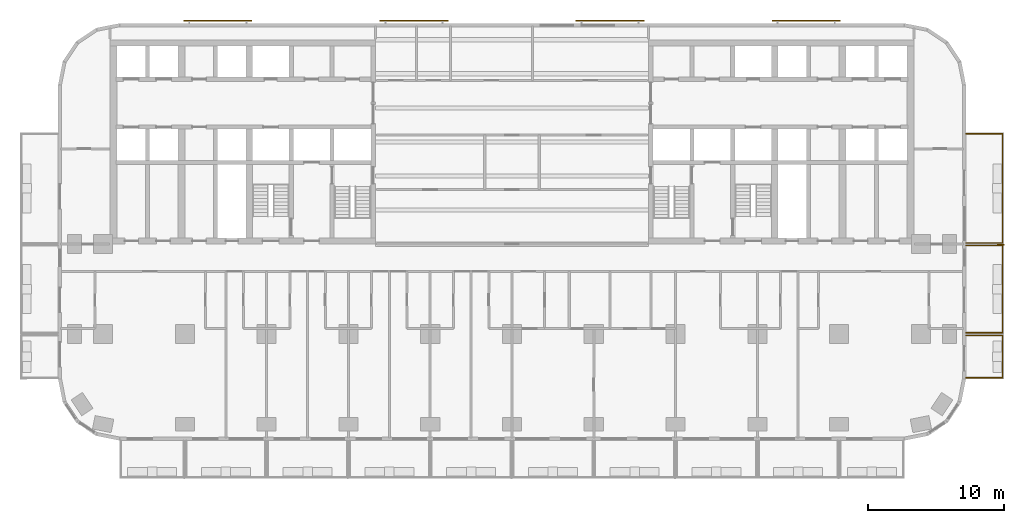
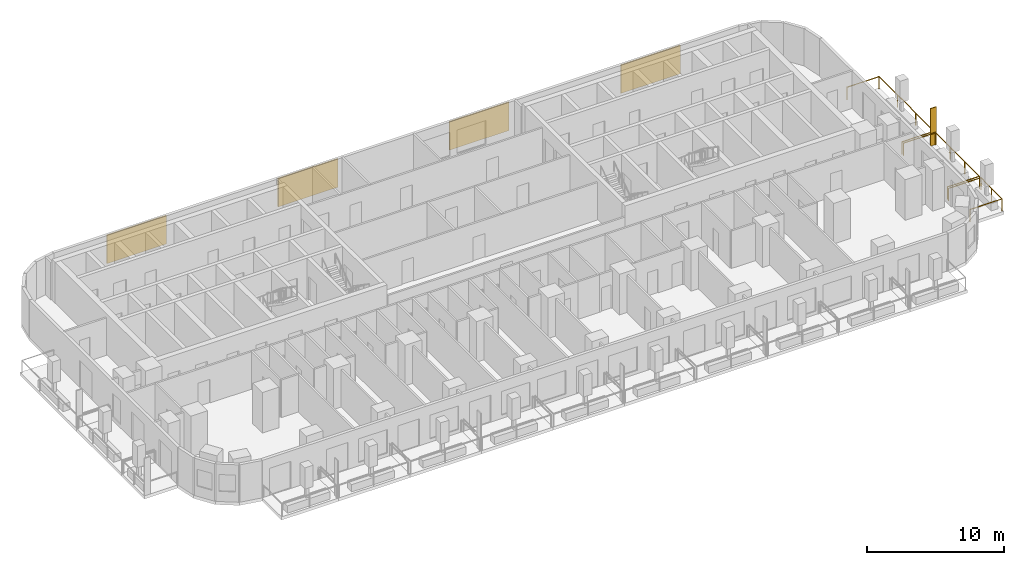
# One storey, part 12 of 13: 5 shading devices, 3 railings.
"""IFC4 building model written with IfcOpenShell, lengths in metres."""

import ifcopenshell
import ifcopenshell.guid

model = None  # the IFC model being written
_history = None  # IfcOwnerHistory: only IFC2X3 demands one
_inside = {}  # id of a spatial element -> (the spatial element, [elements in it])
_under = {}  # id of a project, library or spatial element -> (it, [spatial elements below it])
_declared = {}  # id of a project -> (the project, [libraries it declares])
_typed = {}  # id of a type object -> (the type object, [elements of that type])
_made_of = {}  # id of a material, layer set ... -> (it, [elements and type objects made of it])


def new_model(schema):
    """Start an empty IFC model of exactly this schema.

    Asked for "IFC4X3", IfcOpenShell would pick the latest addendum, in which some entities
    have other attributes; the version numbers below select the first issue.
    IFC2X3 requires an IfcOwnerHistory on every rooted entity: one is made here for all.
    """
    global model, _history
    if schema == "IFC4X3":
        model = ifcopenshell.file(schema_version=(4, 3, 0, 0))
    else:
        model = ifcopenshell.file(schema=schema)
    _inside.clear()
    _under.clear()
    _declared.clear()
    _typed.clear()
    _made_of.clear()
    _history = None
    if model.schema == "IFC2X3":
        org = make("IfcOrganization", Name="unknown")
        user = make(
            "IfcPersonAndOrganization",
            ThePerson=make("IfcPerson", FamilyName="unknown"),
            TheOrganization=org,
        )
        app = make(
            "IfcApplication",
            ApplicationDeveloper=org,
            Version="unknown",
            ApplicationFullName="unknown",
            ApplicationIdentifier="unknown",
        )
        _history = make(
            "IfcOwnerHistory",
            OwningUser=user,
            OwningApplication=app,
            ChangeAction="ADDED",
            CreationDate=0,
        )
    return model


def make(cls, **values):
    """One entity of the class cls with the attributes given. An attribute that is None is left unset."""
    return model.create_entity(
        cls, **{name: value for name, value in values.items() if value is not None}
    )


def rooted(cls, **values):
    """An entity with a GlobalId (a new one), such as an element, a storey or a relation."""
    return make(cls, GlobalId=ifcopenshell.guid.new(), OwnerHistory=_history, **values)


def si_unit(unit_type, name, prefix=None):
    """IfcSIUnit, for example si_unit("LENGTHUNIT", "METRE", prefix="MILLI")."""
    return make("IfcSIUnit", UnitType=unit_type, Prefix=prefix, Name=name)


def assignment(units):
    """IfcUnitAssignment: the units of a project."""
    return None if units is None else make("IfcUnitAssignment", Units=units)


def point(xyz):
    """IfcCartesianPoint."""
    return None if xyz is None else make("IfcCartesianPoint", Coordinates=xyz)


def direction(xyz):
    """IfcDirection."""
    return None if xyz is None else make("IfcDirection", DirectionRatios=xyz)


def frame(location, z_axis=None, x_axis=None):
    """IfcAxis2Placement3D, a coordinate frame: its origin and axes. An axis left out is left unset."""
    return make(
        "IfcAxis2Placement3D",
        Location=point(location),
        Axis=direction(z_axis),
        RefDirection=direction(x_axis),
    )


def frame_2d(location, x_axis=None):
    """IfcAxis2Placement2D, a coordinate frame in the plane: its origin and x axis."""
    return make(
        "IfcAxis2Placement2D", Location=point(location), RefDirection=direction(x_axis)
    )


def origin():
    """The frame at (0, 0, 0) with its axes left unset."""
    return frame((0.0, 0.0, 0.0))


def origin_2d():
    """The frame at (0, 0) in the plane with its x axis left unset."""
    return frame_2d((0.0, 0.0))


def place(relative_to, where):
    """IfcLocalPlacement: puts the frame where relative to a parent placement (None: the world)."""
    return make(
        "IfcLocalPlacement", PlacementRelTo=relative_to, RelativePlacement=where
    )


def context(
    kind, dimensions, precision=None, world=None, true_north=None, identifier=None
):
    """IfcGeometricRepresentationContext, for example the 3D "Model" context."""
    return make(
        "IfcGeometricRepresentationContext",
        ContextIdentifier=identifier,
        ContextType=kind,
        CoordinateSpaceDimension=dimensions,
        Precision=precision,
        WorldCoordinateSystem=world,
        TrueNorth=true_north,
    )


def subcontext(parent, identifier, kind, view, scale=None):
    """IfcGeometricRepresentationSubContext, for example "Body" below "Model"."""
    return make(
        "IfcGeometricRepresentationSubContext",
        ContextIdentifier=identifier,
        ContextType=kind,
        ParentContext=parent,
        TargetScale=scale,
        TargetView=view,
    )


def project(units=None, contexts=None):
    """IfcProject with its units and contexts."""
    return rooted(
        "IfcProject",
        Name="project",
        RepresentationContexts=contexts,
        UnitsInContext=assignment(units),
    )


def spatial(cls, under=None, at=None, **own):
    """A site, building, storey or space (cls), placed at a placement, below another one or the project."""
    s = rooted(cls, ObjectPlacement=at, **own)
    if under is not None:
        _under.setdefault(under.id(), (under, []))[1].append(s)
    return s


def profile(cls, at=None, kind="AREA", **sizes):
    """A parametric profile (cls). Its sizes go by their IFC names, for example OverallWidth=200.0."""
    return make(cls, ProfileType=kind, Position=at, **sizes)


def rectangle(**sizes):
    """IfcRectangleProfileDef."""
    return profile("IfcRectangleProfileDef", **sizes)


def circle(**sizes):
    """IfcCircleProfileDef."""
    return profile("IfcCircleProfileDef", **sizes)


def extrude(swept, where, along, depth):
    """IfcExtrudedAreaSolid: the profile swept, set in the frame where, extruded along a direction by depth."""
    return make(
        "IfcExtrudedAreaSolid",
        SweptArea=swept,
        Position=where,
        ExtrudedDirection=direction(along),
        Depth=depth,
    )


def shape(context_of_items, identifier, shape_type, items):
    """IfcShapeRepresentation: the items that make up one representation, for example the "Body"."""
    return make(
        "IfcShapeRepresentation",
        ContextOfItems=context_of_items,
        RepresentationIdentifier=identifier,
        RepresentationType=shape_type,
        Items=items,
    )


def material(Name=None, Category=None):
    """IfcMaterial."""
    return make("IfcMaterial", Name=Name, Category=Category)


def layer(
    of_material, thickness, ventilated=None, Name=None, Category=None, Priority=None
):
    """IfcMaterialLayer: one layer of a wall or slab, of a material (None: an air gap)."""
    return make(
        "IfcMaterialLayer",
        Material=of_material,
        LayerThickness=thickness,
        IsVentilated=ventilated,
        Name=Name,
        Category=Category,
        Priority=Priority,
    )


def layer_set(layers, Name=None):
    """IfcMaterialLayerSet."""
    return make("IfcMaterialLayerSet", MaterialLayers=layers, LayerSetName=Name)


def made_of(thing, what):
    """Note that an element or type object is made of a material, layer set ...; save() writes the relation."""
    if what is not None:
        _made_of.setdefault(what.id(), (what, []))[1].append(thing)
    return thing


def type_object(cls, material=None, **own):
    """A type object (cls), such as IfcWallType, which elements share."""
    return made_of(rooted(cls, **own), material)


def element(
    cls,
    number,
    at=None,
    inside=None,
    cuts=None,
    type_object=None,
    material=None,
    context=None,
    identifier="Body",
    shape_type=None,
    held_by="IfcProductDefinitionShape",
    body=None,
    shapes=None,
    **own,
):
    """One element of the class cls, such as IfcWall. Its Tag is "e" and its number.

    at: its placement. inside: the storey or other place that contains it. cuts: it is an
    opening in that element (IfcRelVoidsElement). A single representation is given by context,
    identifier, shape_type and body (its items); several are given by shapes. held_by: the class
    of the entity that holds the representations. save() writes the other relations.
    """
    e = rooted(cls, Tag="e%d" % number, ObjectPlacement=at, **own)
    if body is not None:
        shapes = [shape(context, identifier, shape_type, body)]
    if shapes is not None:
        e.Representation = make(held_by, Representations=shapes)
    if inside is not None:
        _inside.setdefault(inside.id(), (inside, []))[1].append(e)
    if cuts is not None:
        rooted(
            "IfcRelVoidsElement", RelatingBuildingElement=cuts, RelatedOpeningElement=e
        )
    if type_object is not None:
        _typed.setdefault(type_object.id(), (type_object, []))[1].append(e)
    return made_of(e, material)


def aggregate(whole, parts):
    """IfcRelAggregates: a whole, such as a stair, and the parts it consists of."""
    return rooted("IfcRelAggregates", RelatingObject=whole, RelatedObjects=parts)


def save(model, path):
    """Write the relations noted so far, then the file.

    IfcRelAggregates (storeys below a building ...), IfcRelContainedInSpatialStructure (elements
    in a storey), IfcRelDefinesByType, IfcRelAssociatesMaterial and IfcRelDeclares: one each for
    every whole, place, type object, material and project.
    """
    for whole, parts in _under.values():
        aggregate(whole, parts)
    for where, things in _inside.values():
        rooted(
            "IfcRelContainedInSpatialStructure",
            RelatedElements=things,
            RelatingStructure=where,
        )
    for kind, things in _typed.values():
        rooted("IfcRelDefinesByType", RelatedObjects=things, RelatingType=kind)
    for what, things in _made_of.values():
        rooted("IfcRelAssociatesMaterial", RelatedObjects=things, RelatingMaterial=what)
    for by, libraries in _declared.values():
        rooted("IfcRelDeclares", RelatingContext=by, RelatedDefinitions=libraries)
    model.write(path)


model = new_model("IFC4")

# Units and contexts
model_context = context("Model", 3, precision=1e-05, world=origin(), true_north=direction((0.0, 1.0)))
body_context = subcontext(model_context, "Body", "Model", "MODEL_VIEW")
ifc_project = project(units=[si_unit("LENGTHUNIT", "METRE"), si_unit("AREAUNIT", "SQUARE_METRE"), si_unit("VOLUMEUNIT", "CUBIC_METRE"), si_unit("PLANEANGLEUNIT", "RADIAN"), si_unit("MASSUNIT", "GRAM", prefix="KILO")], contexts=[model_context])

# Site, building, storey
site_placement = place(None, origin())
site = spatial("IfcSite", under=ifc_project, at=site_placement, CompositionType="ELEMENT")
building_placement = place(site_placement, origin())
building = spatial("IfcBuilding", under=site, at=building_placement, Name="Torana Hotel and Residences", CompositionType="ELEMENT")
storey_placement = place(building_placement, frame((0.0, 0.0, 60.0)))
storey = spatial("IfcBuildingStorey", under=building, at=storey_placement, Name="L14", CompositionType="ELEMENT", Elevation=60.0)

# Shading device
ifc_material_1 = material(Name="Black powder coated aluminium", Category="aluminium")
ifc_layer_1 = layer(ifc_material_1, 0.080078125)
ifc_layer_set_1 = layer_set([ifc_layer_1], Name="FN1 VERTICAL FIN 500x80")
shading_device_type_1 = type_object("IfcShadingDeviceType", Name="FN1 VERTICAL FIN 500x80", PredefinedType="USERDEFINED", material=ifc_layer_set_1)
shading_device_placement = place(storey_placement, frame((35.85009765625, -15.0400390625, 0.0), z_axis=(0.0, 0.0, 1.0), x_axis=(0.0, -1.0, 0.0)))
element("IfcShadingDevice", 1, at=shading_device_placement, inside=storey, type_object=shading_device_type_1, Name="Fin 15", ObjectType="FIN", PredefinedType="USERDEFINED", context=body_context, shape_type="SweptSolid", body=[
    extrude(rectangle(XDim=0.080078125, YDim=0.5, at=origin_2d()), origin(), (0.0, 0.0, 1.0), 3.320068359375),
])

# Railings
ifc_material_2 = material(Name="Laminated glass balustrade with black handrail", Category="glass")
railing_type = type_object("IfcRailingType", Name="GR1 BALCONY GUARD 1100 GLASS", PredefinedType="GUARDRAIL", material=ifc_material_2)
railing_1_placement = place(storey_placement, frame((33.300048828125, -21.699951171875, 0.0)))
element("IfcRailing", 2, at=railing_1_placement, inside=storey, type_object=railing_type, Name="Balcony guard 14", PredefinedType="GUARDRAIL", context=body_context, shape_type="SweptSolid", body=[
    extrude(circle(Radius=0.02392578125, at=origin_2d()), frame((0.0, 0.0, 1.076171875), z_axis=(1.0, 0.0, 0.0), x_axis=(0.0, 1.0, 0.0)), (0.0, 0.0, 1.0), 2.699951171875),
    extrude(circle(Radius=0.02392578125, at=origin_2d()), frame((2.699951171875, 0.0, 1.076171875), z_axis=(0.0, -1.0, 0.0), x_axis=(1.0, 0.0, 0.0)), (0.0, 0.0, 1.0), 3.10009765625),
    extrude(circle(Radius=0.02392578125, at=origin_2d()), frame((2.699951171875, -3.10009765625, 1.076171875), z_axis=(-1.0, 0.0, 0.0), x_axis=(0.0, -1.0, 0.0)), (0.0, 0.0, 1.0), 2.699951171875),
    extrude(circle(Radius=0.02099609375, at=origin_2d()), origin(), (0.0, 0.0, 1.0), 1.052001953125),
    extrude(circle(Radius=0.02099609375, at=origin_2d()), frame((2.699951171875, 0.0, 0.0)), (0.0, 0.0, 1.0), 1.052001953125),
    extrude(circle(Radius=0.02099609375, at=origin_2d()), frame((2.699951171875, -1.550048828125, 0.0)), (0.0, 0.0, 1.0), 1.052001953125),
    extrude(circle(Radius=0.02099609375, at=origin_2d()), frame((2.699951171875, -3.10009765625, 0.0)), (0.0, 0.0, 1.0), 1.052001953125),
    extrude(circle(Radius=0.02099609375, at=origin_2d()), frame((0.0, -3.10009765625, 0.0)), (0.0, 0.0, 1.0), 1.052001953125),
])
railing_2_placement = place(storey_placement, frame((33.300048828125, -15.10009765625, 0.0)))
element("IfcRailing", 3, at=railing_2_placement, inside=storey, type_object=railing_type, Name="Balcony guard 15", PredefinedType="GUARDRAIL", context=body_context, shape_type="SweptSolid", body=[
    extrude(circle(Radius=0.02392578125, at=origin_2d()), frame((0.0, 0.0, 1.076171875), z_axis=(1.0, 0.0, 0.0), x_axis=(0.0, 1.0, 0.0)), (0.0, 0.0, 1.0), 2.699951171875),
    extrude(circle(Radius=0.02392578125, at=origin_2d()), frame((2.699951171875, 0.0, 1.076171875), z_axis=(0.0, -1.0, 0.0), x_axis=(1.0, 0.0, 0.0)), (0.0, 0.0, 1.0), 6.39990234375),
    extrude(circle(Radius=0.02392578125, at=origin_2d()), frame((2.699951171875, -6.39990234375, 1.076171875), z_axis=(-1.0, 0.0, 0.0), x_axis=(0.0, -1.0, 0.0)), (0.0, 0.0, 1.0), 2.699951171875),
    extrude(circle(Radius=0.02099609375, at=origin_2d()), origin(), (0.0, 0.0, 1.0), 1.052001953125),
    extrude(circle(Radius=0.02099609375, at=origin_2d()), frame((2.699951171875, 0.0, 0.0)), (0.0, 0.0, 1.0), 1.052001953125),
    extrude(circle(Radius=0.02099609375, at=origin_2d()), frame((2.699951171875, -2.13330078125, 0.0)), (0.0, 0.0, 1.0), 1.052001953125),
    extrude(circle(Radius=0.02099609375, at=origin_2d()), frame((2.699951171875, -4.2666015625, 0.0)), (0.0, 0.0, 1.0), 1.052001953125),
    extrude(circle(Radius=0.02099609375, at=origin_2d()), frame((2.699951171875, -6.39990234375, 0.0)), (0.0, 0.0, 1.0), 1.052001953125),
    extrude(circle(Radius=0.02099609375, at=origin_2d()), frame((0.0, -6.39990234375, 0.0)), (0.0, 0.0, 1.0), 1.052001953125),
])
railing_3_placement = place(storey_placement, frame((33.300048828125, -6.89990234375, 0.0)))
element("IfcRailing", 4, at=railing_3_placement, inside=storey, type_object=railing_type, Name="Balcony guard 16", PredefinedType="GUARDRAIL", context=body_context, shape_type="SweptSolid", body=[
    extrude(circle(Radius=0.02392578125, at=origin_2d()), frame((0.0, 0.0, 1.076171875), z_axis=(1.0, 0.0, 0.0), x_axis=(0.0, 1.0, 0.0)), (0.0, 0.0, 1.0), 2.699951171875),
    extrude(circle(Radius=0.02392578125, at=origin_2d()), frame((2.699951171875, 0.0, 1.076171875), z_axis=(0.0, -1.0, 0.0), x_axis=(1.0, 0.0, 0.0)), (0.0, 0.0, 1.0), 8.0),
    extrude(circle(Radius=0.02392578125, at=origin_2d()), frame((2.699951171875, -8.0, 1.076171875), z_axis=(-1.0, 0.0, 0.0), x_axis=(0.0, -1.0, 0.0)), (0.0, 0.0, 1.0), 2.699951171875),
    extrude(circle(Radius=0.02099609375, at=origin_2d()), origin(), (0.0, 0.0, 1.0), 1.052001953125),
    extrude(circle(Radius=0.02099609375, at=origin_2d()), frame((2.699951171875, 0.0, 0.0)), (0.0, 0.0, 1.0), 1.052001953125),
    extrude(circle(Radius=0.02099609375, at=origin_2d()), frame((2.699951171875, -2.666748046875, 0.0)), (0.0, 0.0, 1.0), 1.052001953125),
    extrude(circle(Radius=0.02099609375, at=origin_2d()), frame((2.699951171875, -5.333251953125, 0.0)), (0.0, 0.0, 1.0), 1.052001953125),
    extrude(circle(Radius=0.02099609375, at=origin_2d()), frame((2.699951171875, -8.0, 0.0)), (0.0, 0.0, 1.0), 1.052001953125),
    extrude(circle(Radius=0.02099609375, at=origin_2d()), frame((0.0, -8.0, 0.0)), (0.0, 0.0, 1.0), 1.052001953125),
])

# Shading devices
ifc_material_3 = material(Name="Concrete C40/50 precast", Category="concrete")
ifc_layer_2 = layer(ifc_material_3, 0.10009765625)
ifc_layer_set_2 = layer_set([ifc_layer_2], Name="SC1 PERFORATED BLOCK SCREEN PANEL 100")
shading_device_type_2 = type_object("IfcShadingDeviceType", Name="SC1 PERFORATED BLOCK SCREEN PANEL 100", PredefinedType="USERDEFINED", material=ifc_layer_set_2)
for number, where, z_axis, x_axis, name in (
    (5, (21.58154296875, 1.39990234375, 0.5), (0.0, 0.0, 1.0), (-1.0, 0.0, 0.0), "Perforated block screen L14"),
    (6, (7.19384765625, 1.39990234375, 0.5), (0.0, 0.0, 1.0), (-1.0, 0.0, 0.0), "Perforated block screen L14"),
    (7, (-7.19384765625, 1.39990234375, 0.5), (0.0, 0.0, 1.0), (-1.0, 0.0, 0.0), "Perforated block screen L14"),
    (8, (-21.58154296875, 1.39990234375, 0.5), (0.0, 0.0, 1.0), (-1.0, 0.0, 0.0), "Perforated block screen L14"),
):
    element("IfcShadingDevice", number, at=place(storey_placement, frame(where, z_axis=z_axis, x_axis=x_axis)), inside=storey, type_object=shading_device_type_2, Name=name, ObjectType="SCREEN", PredefinedType="USERDEFINED", context=body_context, shape_type="SweptSolid", body=[
        extrude(rectangle(XDim=5.0, YDim=0.10009765625, at=origin_2d()), origin(), (0.0, 0.0, 1.0), 2.52001953125),
    ])

save(model, "model.ifc")
